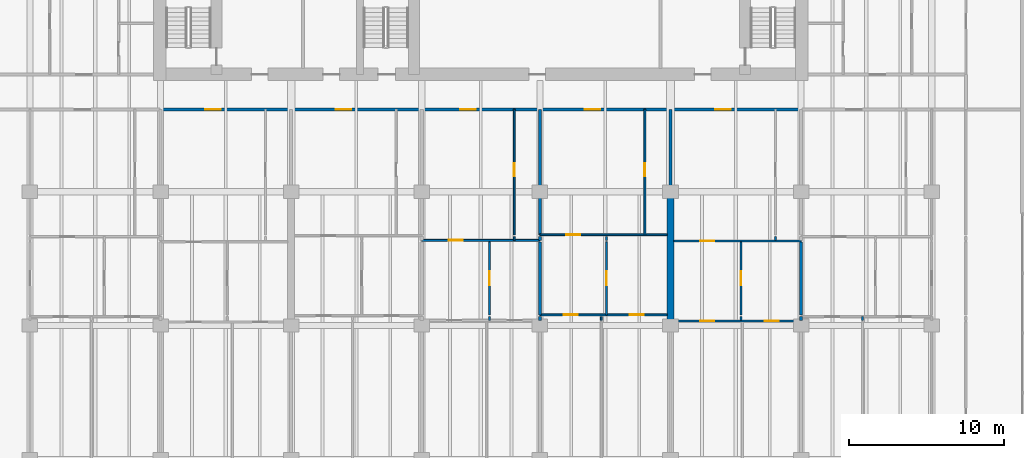
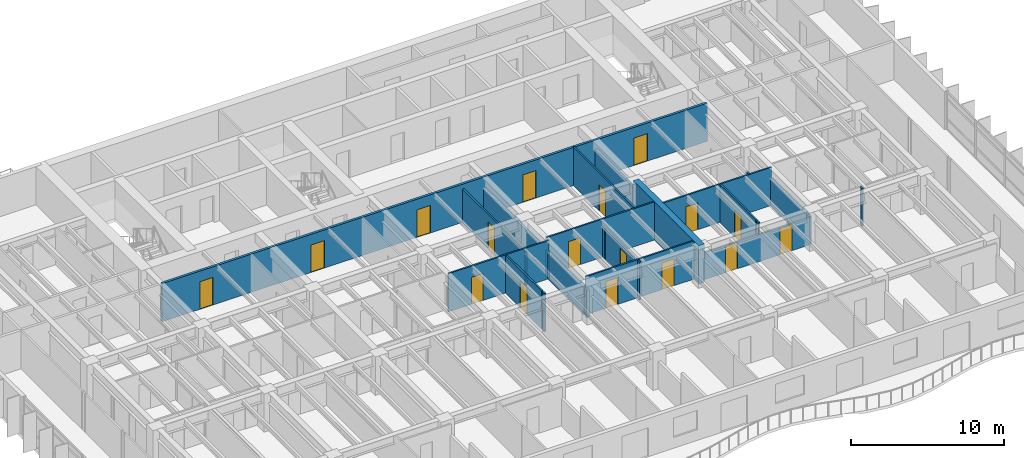
# One storey, part 9 of 18: 26 walls, 17 doors, 17 openings.
"""IFC4 building model written with IfcOpenShell, lengths in metres."""

from ifc_helpers import new_model, si_unit, direction, frame, frame_2d, origin, place, context, subcontext, project, spatial, rectangle, extrude, material, layer, layer_set, type_object, element, fill, save


model = new_model("IFC4")

# Units and contexts
model_context = context("Model", 3, precision=1e-05, world=origin(), true_north=direction((0.0, 1.0)))
body_context = subcontext(model_context, "Body", "Model", "MODEL_VIEW")
ifc_project = project(units=[si_unit("LENGTHUNIT", "METRE"), si_unit("AREAUNIT", "SQUARE_METRE"), si_unit("VOLUMEUNIT", "CUBIC_METRE"), si_unit("PLANEANGLEUNIT", "RADIAN"), si_unit("MASSUNIT", "GRAM", prefix="KILO")], contexts=[model_context])

# Site, building, storey
site_placement = place(None, origin())
site = spatial("IfcSite", under=ifc_project, at=site_placement, CompositionType="ELEMENT")
building_placement = place(site_placement, origin())
building = spatial("IfcBuilding", under=site, at=building_placement, Name="Caelmar Bay Residences", CompositionType="ELEMENT")
storey_placement = place(building_placement, frame((0.0, 0.0, 122.39990234375)))
storey = spatial("IfcBuildingStorey", under=building, at=storey_placement, Name="L33", CompositionType="ELEMENT", Elevation=122.39990234375)

# Wall
ifc_material_1 = material(Name="Concrete f'c 55 MPa (8,000 psi)", Category="concrete")
ifc_layer_1 = layer(ifc_material_1, 0.449951171875)
ifc_layer_set_1 = layer_set([ifc_layer_1], Name="Concrete f'c 55 MPa (8,000 psi)")
wall_type_1 = type_object("IfcWallType", Name="SW-XSLB-450", PredefinedType="SHEAR", material=ifc_layer_set_1)
wall_1_placement = place(storey_placement, frame((51.10009765625, 20.800048828125, 0.0), z_axis=(0.0, 0.0, 1.0), x_axis=(0.0, 1.0, 0.0)))
element("IfcWall", 1, at=wall_1_placement, inside=storey, type_object=wall_type_1, Name="L33 Transverse Cross-Slab Shear Wall E8", PredefinedType="SHEAR", context=body_context, shape_type="SweptSolid", body=[
    extrude(rectangle(XDim=8.599853515625, YDim=0.449951171875, at=frame_2d((4.2998046875, 0.0))), origin(), (0.0, 0.0, 1.0), 3.050048828125),
])

# Wall, openings, doors
ifc_material_2 = material(Name="Double-stud acoustic fire-rated gypsum partition 180 mm")
ifc_layer_2 = layer(ifc_material_2, 0.179931640625)
ifc_layer_set_2 = layer_set([ifc_layer_2], Name="Double-stud acoustic fire-rated gypsum partition 180 mm")
wall_type_2 = type_object("IfcWallType", Name="W-COR-200", PredefinedType="PARTITIONING", material=ifc_layer_set_2)
wall_2_placement = place(storey_placement, frame((18.300048828125, 34.699951171875, 0.0), z_axis=(0.0, 0.0, 1.0), x_axis=(1.0, 0.0, 0.0)))
wall_2 = element("IfcWall", 2, at=wall_2_placement, inside=storey, type_object=wall_type_2, Name="L33 Partition Wall H143", PredefinedType="PARTITIONING", context=body_context, shape_type="SweptSolid", body=[
    extrude(rectangle(XDim=41.199951171875, YDim=0.179931640625, at=frame_2d((20.60009765625, 0.0))), origin(), (0.0, 0.0, 1.0), 3.050048828125),
])
opening_1_placement = place(wall_2_placement, frame((2.875, 0.0, 0.0)))
opening_1 = element("IfcOpeningElement", 3, at=opening_1_placement, cuts=wall_2, Name="Opening D-L33-130", PredefinedType="OPENING", context=body_context, shape_type="SweptSolid", body=[
    extrude(rectangle(XDim=1.0, YDim=2.199951171875, at=frame_2d((0.5, 1.10009765625))), frame((0.0, 0.099853515625, 0.0), z_axis=(0.0, -1.0, 0.0), x_axis=(1.0, 0.0, 0.0)), (0.0, 0.0, 1.0), 0.199951171875),
])
opening_2_placement = place(wall_2_placement, frame((11.27490234375, 0.0, 0.0)))
opening_2 = element("IfcOpeningElement", 4, at=opening_2_placement, cuts=wall_2, Name="Opening D-L33-137", PredefinedType="OPENING", context=body_context, shape_type="SweptSolid", body=[
    extrude(rectangle(XDim=1.0, YDim=2.199951171875, at=frame_2d((0.5, 1.10009765625))), frame((0.0, 0.099853515625, 0.0), z_axis=(0.0, -1.0, 0.0), x_axis=(1.0, 0.0, 0.0)), (0.0, 0.0, 1.0), 0.199951171875),
])
opening_3_placement = place(wall_2_placement, frame((19.27490234375, 0.0, 0.0)))
opening_3 = element("IfcOpeningElement", 5, at=opening_3_placement, cuts=wall_2, Name="Opening D-L33-144", PredefinedType="OPENING", context=body_context, shape_type="SweptSolid", body=[
    extrude(rectangle(XDim=1.0, YDim=2.199951171875, at=frame_2d((0.5, 1.10009765625))), frame((0.0, 0.099853515625, 0.0), z_axis=(0.0, -1.0, 0.0), x_axis=(1.0, 0.0, 0.0)), (0.0, 0.0, 1.0), 0.199951171875),
])
opening_4_placement = place(wall_2_placement, frame((27.27490234375, 0.0, 0.0)))
opening_4 = element("IfcOpeningElement", 6, at=opening_4_placement, cuts=wall_2, Name="Opening D-L33-150", PredefinedType="OPENING", context=body_context, shape_type="SweptSolid", body=[
    extrude(rectangle(XDim=1.0, YDim=2.199951171875, at=frame_2d((0.5, 1.10009765625))), frame((0.0, 0.099853515625, 0.0), z_axis=(0.0, -1.0, 0.0), x_axis=(1.0, 0.0, 0.0)), (0.0, 0.0, 1.0), 0.199951171875),
])
opening_5_placement = place(wall_2_placement, frame((35.675048828125, 0.0, 0.0)))
opening_5 = element("IfcOpeningElement", 7, at=opening_5_placement, cuts=wall_2, Name="Opening D-L33-157", PredefinedType="OPENING", context=body_context, shape_type="SweptSolid", body=[
    extrude(rectangle(XDim=1.0, YDim=2.199951171875, at=frame_2d((0.5, 1.10009765625))), frame((0.0, 0.099853515625, 0.0), z_axis=(0.0, -1.0, 0.0), x_axis=(1.0, 0.0, 0.0)), (0.0, 0.0, 1.0), 0.199951171875),
])
ifc_material_3 = material(Name="Fire-rated steel and walnut architectural door assembly", Category="steel")
ifc_layer_3 = layer(ifc_material_3, 0.050048828125)
ifc_layer_set_3 = layer_set([ifc_layer_3], Name="Fire-rated steel and walnut architectural door assembly")
door_type_1 = type_object("IfcDoorType", Name="D-UNIT-1000", OperationType="NOTDEFINED", PredefinedType="DOOR", material=ifc_layer_set_3)
door_1_placement = place(opening_1_placement, origin())
door_1 = element("IfcDoor", 8, at=door_1_placement, inside=storey, type_object=door_type_1, Name="L33 Residence 02 Apartment Hall Door", OperationType="SINGLE_SWING_RIGHT", OverallHeight=2.199951171875, OverallWidth=1.0, PredefinedType="DOOR", context=body_context, shape_type="SweptSolid", body=[
    extrude(rectangle(XDim=1.0, YDim=2.199951171875, at=frame_2d((0.5, 1.10009765625))), frame((0.0, 0.02490234375, 0.0), z_axis=(0.0, -1.0, 0.0), x_axis=(1.0, 0.0, 0.0)), (0.0, 0.0, 1.0), 0.050048828125),
])
fill(opening_1, door_1)
door_2_placement = place(opening_2_placement, origin())
door_2 = element("IfcDoor", 9, at=door_2_placement, inside=storey, type_object=door_type_1, Name="L33 Residence 03 Apartment Hall Door", OperationType="SINGLE_SWING_LEFT", OverallHeight=2.199951171875, OverallWidth=1.0, PredefinedType="DOOR", context=body_context, shape_type="SweptSolid", body=[
    extrude(rectangle(XDim=1.0, YDim=2.199951171875, at=frame_2d((0.5, 1.10009765625))), frame((0.0, 0.02490234375, 0.0), z_axis=(0.0, -1.0, 0.0), x_axis=(1.0, 0.0, 0.0)), (0.0, 0.0, 1.0), 0.050048828125),
])
fill(opening_2, door_2)
door_3_placement = place(opening_3_placement, origin())
door_3 = element("IfcDoor", 10, at=door_3_placement, inside=storey, type_object=door_type_1, Name="L33 Residence 04 Apartment Hall Door", OperationType="SINGLE_SWING_RIGHT", OverallHeight=2.199951171875, OverallWidth=1.0, PredefinedType="DOOR", context=body_context, shape_type="SweptSolid", body=[
    extrude(rectangle(XDim=1.0, YDim=2.199951171875, at=frame_2d((0.5, 1.10009765625))), frame((0.0, 0.02490234375, 0.0), z_axis=(0.0, -1.0, 0.0), x_axis=(1.0, 0.0, 0.0)), (0.0, 0.0, 1.0), 0.050048828125),
])
fill(opening_3, door_3)
door_4_placement = place(opening_4_placement, origin())
door_4 = element("IfcDoor", 11, at=door_4_placement, inside=storey, type_object=door_type_1, Name="L33 Residence 05 Apartment Hall Door", OperationType="SINGLE_SWING_RIGHT", OverallHeight=2.199951171875, OverallWidth=1.0, PredefinedType="DOOR", context=body_context, shape_type="SweptSolid", body=[
    extrude(rectangle(XDim=1.0, YDim=2.199951171875, at=frame_2d((0.5, 1.10009765625))), frame((0.0, 0.02490234375, 0.0), z_axis=(0.0, -1.0, 0.0), x_axis=(1.0, 0.0, 0.0)), (0.0, 0.0, 1.0), 0.050048828125),
])
fill(opening_4, door_4)
door_5_placement = place(opening_5_placement, origin())
door_5 = element("IfcDoor", 12, at=door_5_placement, inside=storey, type_object=door_type_1, Name="L33 Residence 06 Apartment Hall Door", OperationType="SINGLE_SWING_LEFT", OverallHeight=2.199951171875, OverallWidth=1.0, PredefinedType="DOOR", context=body_context, shape_type="SweptSolid", body=[
    extrude(rectangle(XDim=1.0, YDim=2.199951171875, at=frame_2d((0.5, 1.10009765625))), frame((0.0, 0.02490234375, 0.0), z_axis=(0.0, -1.0, 0.0), x_axis=(1.0, 0.0, 0.0)), (0.0, 0.0, 1.0), 0.050048828125),
])
fill(opening_5, door_5)

# Wall
ifc_material_4 = material(Name="Acoustic metal-stud gypsum partition 120 mm")
ifc_layer_4 = layer(ifc_material_4, 0.1201171875)
ifc_layer_set_4 = layer_set([ifc_layer_4], Name="Acoustic metal-stud gypsum partition 120 mm")
wall_type_3 = type_object("IfcWallType", Name="W-PRT-120", PredefinedType="PARTITIONING", material=ifc_layer_set_4)
wall_3_placement = place(storey_placement, frame((39.4541015625, 21.1298828125, 0.0), z_axis=(0.0, 0.0, 1.0), x_axis=(0.0, 1.0, 0.0)))
element("IfcWall", 13, at=wall_3_placement, inside=storey, type_object=wall_type_3, Name="L33 Partition Wall V058", PredefinedType="PARTITIONING", context=body_context, shape_type="SweptSolid", body=[
    extrude(rectangle(XDim=0.240234375, YDim=0.1201171875, at=frame_2d((0.1201171875, 0.0))), origin(), (0.0, 0.0, 1.0), 3.050048828125),
])

# Wall, opening, door
wall_4_placement = place(storey_placement, frame((39.4541015625, 21.489990234375, 0.0), z_axis=(0.0, 0.0, 1.0), x_axis=(0.0, 1.0, 0.0)))
wall_4 = element("IfcWall", 14, at=wall_4_placement, inside=storey, type_object=wall_type_3, Name="L33 Partition Wall V059", PredefinedType="PARTITIONING", context=body_context, shape_type="SweptSolid", body=[
    extrude(rectangle(XDim=4.68994140625, YDim=0.1201171875, at=frame_2d((2.344970703125, 0.0))), origin(), (0.0, 0.0, 1.0), 3.050048828125),
])
opening_6_placement = place(wall_4_placement, frame((1.89501953125, 0.0, 0.0)))
opening_6 = element("IfcOpeningElement", 15, at=opening_6_placement, cuts=wall_4, Name="Opening D-L33-147", PredefinedType="OPENING", context=body_context, shape_type="SweptSolid", body=[
    extrude(rectangle(XDim=0.89990234375, YDim=2.14990234375, at=frame_2d((0.449951171875, 1.074951171875))), frame((0.0, 0.070068359375, 0.0), z_axis=(0.0, -1.0, 0.0), x_axis=(1.0, 0.0, 0.0)), (0.0, 0.0, 1.0), 0.14013671875),
])
ifc_material_5 = material(Name="Solid walnut timber interior door leaf and frame", Category="wood")
ifc_layer_5 = layer(ifc_material_5, 0.050048828125)
ifc_layer_set_5 = layer_set([ifc_layer_5], Name="Solid walnut timber interior door leaf and frame")
door_type_2 = type_object("IfcDoorType", Name="D-ROOM-900", OperationType="NOTDEFINED", PredefinedType="DOOR", material=ifc_layer_set_5)
door_6_placement = place(opening_6_placement, origin())
door_6 = element("IfcDoor", 16, at=door_6_placement, inside=storey, type_object=door_type_2, Name="L33 Residence 04 Study Door", OperationType="SINGLE_SWING_LEFT", OverallHeight=2.14990234375, OverallWidth=0.89990234375, PredefinedType="DOOR", context=body_context, shape_type="SweptSolid", body=[
    extrude(rectangle(XDim=0.89990234375, YDim=2.14990234375, at=frame_2d((0.449951171875, 1.074951171875))), frame((0.0, 0.02490234375, 0.0), z_axis=(0.0, -1.0, 0.0), x_axis=(1.0, 0.0, 0.0)), (0.0, 0.0, 1.0), 0.050048828125),
])
fill(opening_6, door_6)

# Wall
wall_5_placement = place(storey_placement, frame((41.050048828125, 26.280029296875, 0.0), z_axis=(0.0, 0.0, 1.0), x_axis=(0.0, 1.0, 0.0)))
element("IfcWall", 17, at=wall_5_placement, inside=storey, type_object=wall_type_3, Name="L33 Partition Wall V060", PredefinedType="PARTITIONING", context=body_context, shape_type="SweptSolid", body=[
    extrude(rectangle(XDim=0.239990234375, YDim=0.1201171875, at=frame_2d((0.1201171875, 0.0))), origin(), (0.0, 0.0, 1.0), 2.67919921875),
])

# Wall, opening, door
wall_6_placement = place(storey_placement, frame((41.050048828125, 26.639892578125, 0.0), z_axis=(0.0, 0.0, 1.0), x_axis=(0.0, 1.0, 0.0)))
wall_6 = element("IfcWall", 18, at=wall_6_placement, inside=storey, type_object=wall_type_3, Name="L33 Partition Wall V061", PredefinedType="PARTITIONING", context=body_context, shape_type="SweptSolid", body=[
    extrude(rectangle(XDim=8.06005859375, YDim=0.1201171875, at=frame_2d((4.030029296875, 0.0))), origin(), (0.0, 0.0, 1.0), 2.67919921875),
])
opening_7_placement = place(wall_6_placement, frame((3.7548828125, 0.0, 0.0)))
opening_7 = element("IfcOpeningElement", 19, at=opening_7_placement, cuts=wall_6, Name="Opening D-L33-145", PredefinedType="OPENING", context=body_context, shape_type="SweptSolid", body=[
    extrude(rectangle(XDim=0.85009765625, YDim=2.10009765625, at=frame_2d((0.425048828125, 1.050048828125))), frame((0.0, 0.070068359375, 0.0), z_axis=(0.0, -1.0, 0.0), x_axis=(1.0, 0.0, 0.0)), (0.0, 0.0, 1.0), 0.14013671875),
])
ifc_layer_6 = layer(ifc_material_5, 0.050048828125)
ifc_layer_set_6 = layer_set([ifc_layer_6], Name="Solid walnut timber interior door leaf and frame")
door_type_3 = type_object("IfcDoorType", Name="D-BATH-850", OperationType="NOTDEFINED", PredefinedType="DOOR", material=ifc_layer_set_6)
door_7_placement = place(opening_7_placement, origin())
door_7 = element("IfcDoor", 20, at=door_7_placement, inside=storey, type_object=door_type_3, Name="L33 Residence 04 Bathroom Door", OperationType="SINGLE_SWING_LEFT", OverallHeight=2.10009765625, OverallWidth=0.85009765625, PredefinedType="DOOR", context=body_context, shape_type="SweptSolid", body=[
    extrude(rectangle(XDim=0.85009765625, YDim=2.10009765625, at=frame_2d((0.425048828125, 1.050048828125))), frame((0.0, 0.02490234375, 0.0), z_axis=(0.0, -1.0, 0.0), x_axis=(1.0, 0.0, 0.0)), (0.0, 0.0, 1.0), 0.050048828125),
])
fill(opening_7, door_7)

# Wall
wall_7_placement = place(storey_placement, frame((46.64794921875, 21.1298828125, 0.0), z_axis=(0.0, 0.0, 1.0), x_axis=(0.0, 1.0, 0.0)))
element("IfcWall", 21, at=wall_7_placement, inside=storey, type_object=wall_type_3, Name="L33 Partition Wall V074", PredefinedType="PARTITIONING", context=body_context, shape_type="SweptSolid", body=[
    extrude(rectangle(XDim=0.240234375, YDim=0.1201171875, at=frame_2d((0.1201171875, 0.0))), origin(), (0.0, 0.0, 1.0), 3.050048828125),
])

# Wall, opening, door
wall_8_placement = place(storey_placement, frame((46.986083984375, 21.489990234375, 0.0), z_axis=(0.0, 0.0, 1.0), x_axis=(0.0, 1.0, 0.0)))
wall_8 = element("IfcWall", 22, at=wall_8_placement, inside=storey, type_object=wall_type_3, Name="L33 Partition Wall V075", PredefinedType="PARTITIONING", context=body_context, shape_type="SweptSolid", body=[
    extrude(rectangle(XDim=4.68994140625, YDim=0.1201171875, at=frame_2d((2.344970703125, 0.0))), origin(), (0.0, 0.0, 1.0), 2.486083984375),
])
opening_8_placement = place(wall_8_placement, frame((1.89501953125, 0.0, 0.0)))
opening_8 = element("IfcOpeningElement", 23, at=opening_8_placement, cuts=wall_8, Name="Opening D-L33-153", PredefinedType="OPENING", context=body_context, shape_type="SweptSolid", body=[
    extrude(rectangle(XDim=0.89990234375, YDim=2.14990234375, at=frame_2d((0.449951171875, 1.074951171875))), frame((0.0, 0.070068359375, 0.0), z_axis=(0.0, -1.0, 0.0), x_axis=(1.0, 0.0, 0.0)), (0.0, 0.0, 1.0), 0.14013671875),
])
door_8_placement = place(opening_8_placement, origin())
door_8 = element("IfcDoor", 24, at=door_8_placement, inside=storey, type_object=door_type_2, Name="L33 Residence 05 Study Door", OperationType="SINGLE_SWING_LEFT", OverallHeight=2.14990234375, OverallWidth=0.89990234375, PredefinedType="DOOR", context=body_context, shape_type="SweptSolid", body=[
    extrude(rectangle(XDim=0.89990234375, YDim=2.14990234375, at=frame_2d((0.449951171875, 1.074951171875))), frame((0.0, 0.02490234375, 0.0), z_axis=(0.0, -1.0, 0.0), x_axis=(1.0, 0.0, 0.0)), (0.0, 0.0, 1.0), 0.050048828125),
])
fill(opening_8, door_8)

# Wall
wall_9_placement = place(storey_placement, frame((46.986083984375, 26.280029296875, 0.0), z_axis=(0.0, 0.0, 1.0), x_axis=(0.0, 1.0, 0.0)))
element("IfcWall", 25, at=wall_9_placement, inside=storey, type_object=wall_type_3, Name="L33 Partition Wall V076", PredefinedType="PARTITIONING", context=body_context, shape_type="SweptSolid", body=[
    extrude(rectangle(XDim=0.239990234375, YDim=0.1201171875, at=frame_2d((0.1201171875, 0.0))), origin(), (0.0, 0.0, 1.0), 2.486083984375),
])

# Wall, opening, door
wall_10_placement = place(storey_placement, frame((49.449951171875, 26.639892578125, 0.0), z_axis=(0.0, 0.0, 1.0), x_axis=(0.0, 1.0, 0.0)))
wall_10 = element("IfcWall", 26, at=wall_10_placement, inside=storey, type_object=wall_type_3, Name="L33 Partition Wall V078", PredefinedType="PARTITIONING", context=body_context, shape_type="SweptSolid", body=[
    extrude(rectangle(XDim=8.06005859375, YDim=0.1201171875, at=frame_2d((4.030029296875, 0.0))), origin(), (0.0, 0.0, 1.0), 3.050048828125),
])
opening_9_placement = place(wall_10_placement, frame((3.7548828125, 0.0, 0.0)))
opening_9 = element("IfcOpeningElement", 27, at=opening_9_placement, cuts=wall_10, Name="Opening D-L33-151", PredefinedType="OPENING", context=body_context, shape_type="SweptSolid", body=[
    extrude(rectangle(XDim=0.85009765625, YDim=2.10009765625, at=frame_2d((0.425048828125, 1.050048828125))), frame((0.0, 0.070068359375, 0.0), z_axis=(0.0, -1.0, 0.0), x_axis=(1.0, 0.0, 0.0)), (0.0, 0.0, 1.0), 0.14013671875),
])
door_9_placement = place(opening_9_placement, origin())
door_9 = element("IfcDoor", 28, at=door_9_placement, inside=storey, type_object=door_type_3, Name="L33 Residence 05 Bathroom Door", OperationType="SINGLE_SWING_LEFT", OverallHeight=2.10009765625, OverallWidth=0.85009765625, PredefinedType="DOOR", context=body_context, shape_type="SweptSolid", body=[
    extrude(rectangle(XDim=0.85009765625, YDim=2.10009765625, at=frame_2d((0.425048828125, 1.050048828125))), frame((0.0, 0.02490234375, 0.0), z_axis=(0.0, -1.0, 0.0), x_axis=(1.0, 0.0, 0.0)), (0.0, 0.0, 1.0), 0.050048828125),
])
fill(opening_9, door_9)

# Wall
wall_11_placement = place(storey_placement, frame((55.635986328125, 21.1298828125, 0.0), z_axis=(0.0, 0.0, 1.0), x_axis=(0.0, 1.0, 0.0)))
element("IfcWall", 29, at=wall_11_placement, inside=storey, type_object=wall_type_3, Name="L33 Partition Wall V086", PredefinedType="PARTITIONING", context=body_context, shape_type="SweptSolid", body=[
    extrude(rectangle(XDim=0.240234375, YDim=0.1201171875, at=frame_2d((0.1201171875, 0.0))), origin(), (0.0, 0.0, 1.0), 3.050048828125),
])

# Wall, opening, door
wall_12_placement = place(storey_placement, frame((55.635986328125, 21.489990234375, 0.0), z_axis=(0.0, 0.0, 1.0), x_axis=(0.0, 1.0, 0.0)))
wall_12 = element("IfcWall", 30, at=wall_12_placement, inside=storey, type_object=wall_type_3, Name="L33 Partition Wall V087", PredefinedType="PARTITIONING", context=body_context, shape_type="SweptSolid", body=[
    extrude(rectangle(XDim=4.68994140625, YDim=0.1201171875, at=frame_2d((2.344970703125, 0.0))), origin(), (0.0, 0.0, 1.0), 3.050048828125),
])
opening_10_placement = place(wall_12_placement, frame((1.89501953125, 0.0, 0.0)))
opening_10 = element("IfcOpeningElement", 31, at=opening_10_placement, cuts=wall_12, Name="Opening D-L33-160", PredefinedType="OPENING", context=body_context, shape_type="SweptSolid", body=[
    extrude(rectangle(XDim=0.89990234375, YDim=2.14990234375, at=frame_2d((0.449951171875, 1.074951171875))), frame((0.0, 0.070068359375, 0.0), z_axis=(0.0, -1.0, 0.0), x_axis=(1.0, 0.0, 0.0)), (0.0, 0.0, 1.0), 0.14013671875),
])
door_10_placement = place(opening_10_placement, origin())
door_10 = element("IfcDoor", 32, at=door_10_placement, inside=storey, type_object=door_type_2, Name="L33 Residence 06 Study Door", OperationType="SINGLE_SWING_RIGHT", OverallHeight=2.14990234375, OverallWidth=0.89990234375, PredefinedType="DOOR", context=body_context, shape_type="SweptSolid", body=[
    extrude(rectangle(XDim=0.89990234375, YDim=2.14990234375, at=frame_2d((0.449951171875, 1.074951171875))), frame((0.0, 0.02490234375, 0.0), z_axis=(0.0, -1.0, 0.0), x_axis=(1.0, 0.0, 0.0)), (0.0, 0.0, 1.0), 0.050048828125),
])
fill(opening_10, door_10)

# Walls
wall_13_placement = place(storey_placement, frame((57.85009765625, 26.280029296875, 0.0), z_axis=(0.0, 0.0, 1.0), x_axis=(0.0, 1.0, 0.0)))
element("IfcWall", 33, at=wall_13_placement, inside=storey, type_object=wall_type_3, Name="L33 Partition Wall V091", PredefinedType="PARTITIONING", context=body_context, shape_type="SweptSolid", body=[
    extrude(rectangle(XDim=0.239990234375, YDim=0.1201171875, at=frame_2d((0.1201171875, 0.0))), origin(), (0.0, 0.0, 1.0), 3.050048828125),
])
wall_14_placement = place(storey_placement, frame((63.447998046875, 21.1298828125, 0.0), z_axis=(0.0, 0.0, 1.0), x_axis=(0.0, 1.0, 0.0)))
element("IfcWall", 34, at=wall_14_placement, inside=storey, type_object=wall_type_3, Name="L33 Partition Wall V102", PredefinedType="PARTITIONING", context=body_context, shape_type="SweptSolid", body=[
    extrude(rectangle(XDim=0.240234375, YDim=0.1201171875, at=frame_2d((0.1201171875, 0.0))), origin(), (0.0, 0.0, 1.0), 3.050048828125),
])

# Wall, openings, doors
wall_15_placement = place(storey_placement, frame((51.320068359375, 21.090087890625, 0.0), z_axis=(0.0, 0.0, 1.0), x_axis=(1.0, 0.0, 0.0)))
wall_15 = element("IfcWall", 35, at=wall_15_placement, inside=storey, type_object=wall_type_3, Name="L33 Partition Wall H128", PredefinedType="PARTITIONING", context=body_context, shape_type="SweptSolid", body=[
    extrude(rectangle(XDim=8.179931640625, YDim=0.1201171875, at=frame_2d((4.08984375, 0.0))), origin(), (0.0, 0.0, 1.0), 2.174072265625),
])
opening_11_placement = place(wall_15_placement, frame((1.7080078125, 0.0, 0.0)))
opening_11 = element("IfcOpeningElement", 36, at=opening_11_placement, cuts=wall_15, Name="Opening D-L33-161", PredefinedType="OPENING", context=body_context, shape_type="SweptSolid", body=[
    extrude(rectangle(XDim=0.89990234375, YDim=2.1240234375, at=frame_2d((0.449951171875, 1.06201171875))), frame((0.0, 0.070068359375, 0.0), z_axis=(0.0, -1.0, 0.0), x_axis=(1.0, 0.0, 0.0)), (0.0, 0.0, 1.0), 0.14013671875),
])
opening_12_placement = place(wall_15_placement, frame((5.840087890625, 0.0, 0.0)))
opening_12 = element("IfcOpeningElement", 37, at=opening_12_placement, cuts=wall_15, Name="Opening D-L33-162", PredefinedType="OPENING", context=body_context, shape_type="SweptSolid", body=[
    extrude(rectangle(XDim=0.89990234375, YDim=2.1240234375, at=frame_2d((0.449951171875, 1.06201171875))), frame((0.0, 0.070068359375, 0.0), z_axis=(0.0, -1.0, 0.0), x_axis=(1.0, 0.0, 0.0)), (0.0, 0.0, 1.0), 0.14013671875),
])
door_11_placement = place(opening_11_placement, origin())
door_11 = element("IfcDoor", 38, at=door_11_placement, inside=storey, type_object=door_type_2, Name="L33 Residence 06 Living Room Door", OperationType="SINGLE_SWING_LEFT", OverallHeight=2.1240234375, OverallWidth=0.89990234375, PredefinedType="DOOR", context=body_context, shape_type="SweptSolid", body=[
    extrude(rectangle(XDim=0.89990234375, YDim=2.1240234375, at=frame_2d((0.449951171875, 1.06201171875))), frame((0.0, 0.02490234375, 0.0), z_axis=(0.0, -1.0, 0.0), x_axis=(1.0, 0.0, 0.0)), (0.0, 0.0, 1.0), 0.050048828125),
])
fill(opening_11, door_11)
door_12_placement = place(opening_12_placement, origin())
door_12 = element("IfcDoor", 39, at=door_12_placement, inside=storey, type_object=door_type_2, Name="L33 Residence 06 Bedroom 2 Door", OperationType="SINGLE_SWING_RIGHT", OverallHeight=2.1240234375, OverallWidth=0.89990234375, PredefinedType="DOOR", context=body_context, shape_type="SweptSolid", body=[
    extrude(rectangle(XDim=0.89990234375, YDim=2.1240234375, at=frame_2d((0.449951171875, 1.06201171875))), frame((0.0, 0.02490234375, 0.0), z_axis=(0.0, -1.0, 0.0), x_axis=(1.0, 0.0, 0.0)), (0.0, 0.0, 1.0), 0.050048828125),
])
fill(opening_12, door_12)

wall_16_placement = place(storey_placement, frame((42.699951171875, 21.489990234375, 0.0), z_axis=(0.0, 0.0, 1.0), x_axis=(1.0, 0.0, 0.0)))
wall_16 = element("IfcWall", 40, at=wall_16_placement, inside=storey, type_object=wall_type_3, Name="L33 Partition Wall H133", PredefinedType="PARTITIONING", context=body_context, shape_type="SweptSolid", body=[
    extrude(rectangle(XDim=8.179931640625, YDim=0.1201171875, at=frame_2d((4.08984375, 0.0))), origin(), (0.0, 0.0, 1.0), 3.050048828125),
])
opening_13_placement = place(wall_16_placement, frame((1.52392578125, 0.0, 0.0)))
opening_13 = element("IfcOpeningElement", 41, at=opening_13_placement, cuts=wall_16, Name="Opening D-L33-154", PredefinedType="OPENING", context=body_context, shape_type="SweptSolid", body=[
    extrude(rectangle(XDim=0.89990234375, YDim=2.14990234375, at=frame_2d((0.449951171875, 1.074951171875))), frame((0.0, 0.070068359375, 0.0), z_axis=(0.0, -1.0, 0.0), x_axis=(1.0, 0.0, 0.0)), (0.0, 0.0, 1.0), 0.14013671875),
])
opening_14_placement = place(wall_16_placement, frame((5.782958984375, 0.0, 0.0)))
opening_14 = element("IfcOpeningElement", 42, at=opening_14_placement, cuts=wall_16, Name="Opening D-L33-155", PredefinedType="OPENING", context=body_context, shape_type="SweptSolid", body=[
    extrude(rectangle(XDim=0.89990234375, YDim=2.14990234375, at=frame_2d((0.449951171875, 1.074951171875))), frame((0.0, 0.070068359375, 0.0), z_axis=(0.0, -1.0, 0.0), x_axis=(1.0, 0.0, 0.0)), (0.0, 0.0, 1.0), 0.14013671875),
])
door_13_placement = place(opening_13_placement, origin())
door_13 = element("IfcDoor", 43, at=door_13_placement, inside=storey, type_object=door_type_2, Name="L33 Residence 05 Living Room Door", OperationType="SINGLE_SWING_RIGHT", OverallHeight=2.14990234375, OverallWidth=0.89990234375, PredefinedType="DOOR", context=body_context, shape_type="SweptSolid", body=[
    extrude(rectangle(XDim=0.89990234375, YDim=2.14990234375, at=frame_2d((0.449951171875, 1.074951171875))), frame((0.0, 0.02490234375, 0.0), z_axis=(0.0, -1.0, 0.0), x_axis=(1.0, 0.0, 0.0)), (0.0, 0.0, 1.0), 0.050048828125),
])
fill(opening_13, door_13)
door_14_placement = place(opening_14_placement, origin())
door_14 = element("IfcDoor", 44, at=door_14_placement, inside=storey, type_object=door_type_2, Name="L33 Residence 05 Penthouse Sitting Room Door", OperationType="SINGLE_SWING_LEFT", OverallHeight=2.14990234375, OverallWidth=0.89990234375, PredefinedType="DOOR", context=body_context, shape_type="SweptSolid", body=[
    extrude(rectangle(XDim=0.89990234375, YDim=2.14990234375, at=frame_2d((0.449951171875, 1.074951171875))), frame((0.0, 0.02490234375, 0.0), z_axis=(0.0, -1.0, 0.0), x_axis=(1.0, 0.0, 0.0)), (0.0, 0.0, 1.0), 0.050048828125),
])
fill(opening_14, door_14)

# Wall, opening, door
wall_17_placement = place(storey_placement, frame((51.320068359375, 26.239990234375, 0.0), z_axis=(0.0, 0.0, 1.0), x_axis=(1.0, 0.0, 0.0)))
wall_17 = element("IfcWall", 45, at=wall_17_placement, inside=storey, type_object=wall_type_3, Name="L33 Partition Wall H135", PredefinedType="PARTITIONING", context=body_context, shape_type="SweptSolid", body=[
    extrude(rectangle(XDim=8.179931640625, YDim=0.1201171875, at=frame_2d((4.08984375, 0.0))), origin(), (0.0, 0.0, 1.0), 3.050048828125),
])
opening_15_placement = place(wall_17_placement, frame((1.7080078125, 0.0, 0.0)))
opening_15 = element("IfcOpeningElement", 46, at=opening_15_placement, cuts=wall_17, Name="Opening D-L33-159", PredefinedType="OPENING", context=body_context, shape_type="SweptSolid", body=[
    extrude(rectangle(XDim=0.89990234375, YDim=2.14990234375, at=frame_2d((0.449951171875, 1.074951171875))), frame((0.0, 0.070068359375, 0.0), z_axis=(0.0, -1.0, 0.0), x_axis=(1.0, 0.0, 0.0)), (0.0, 0.0, 1.0), 0.14013671875),
])
door_15_placement = place(opening_15_placement, origin())
door_15 = element("IfcDoor", 47, at=door_15_placement, inside=storey, type_object=door_type_2, Name="L33 Residence 06 Kitchen Door", OperationType="SINGLE_SWING_LEFT", OverallHeight=2.14990234375, OverallWidth=0.89990234375, PredefinedType="DOOR", context=body_context, shape_type="SweptSolid", body=[
    extrude(rectangle(XDim=0.89990234375, YDim=2.14990234375, at=frame_2d((0.449951171875, 1.074951171875))), frame((0.0, 0.02490234375, 0.0), z_axis=(0.0, -1.0, 0.0), x_axis=(1.0, 0.0, 0.0)), (0.0, 0.0, 1.0), 0.050048828125),
])
fill(opening_15, door_15)

wall_18_placement = place(storey_placement, frame((35.10009765625, 26.280029296875, 0.0), z_axis=(0.0, 0.0, 1.0), x_axis=(1.0, 0.0, 0.0)))
wall_18 = element("IfcWall", 48, at=wall_18_placement, inside=storey, type_object=wall_type_3, Name="L33 Partition Wall H136", PredefinedType="PARTITIONING", context=body_context, shape_type="SweptSolid", body=[
    extrude(rectangle(XDim=7.599853515625, YDim=0.1201171875, at=frame_2d((3.7998046875, 0.0))), origin(), (0.0, 0.0, 1.0), 3.050048828125),
])
opening_16_placement = place(wall_18_placement, frame((1.72705078125, 0.0, 0.0)))
opening_16 = element("IfcOpeningElement", 49, at=opening_16_placement, cuts=wall_18, Name="Opening D-L33-146", PredefinedType="OPENING", context=body_context, shape_type="SweptSolid", body=[
    extrude(rectangle(XDim=0.89990234375, YDim=2.14990234375, at=frame_2d((0.449951171875, 1.074951171875))), frame((0.0, 0.070068359375, 0.0), z_axis=(0.0, -1.0, 0.0), x_axis=(1.0, 0.0, 0.0)), (0.0, 0.0, 1.0), 0.14013671875),
])
door_16_placement = place(opening_16_placement, origin())
door_16 = element("IfcDoor", 50, at=door_16_placement, inside=storey, type_object=door_type_2, Name="L33 Residence 04 Kitchen Door", OperationType="SINGLE_SWING_RIGHT", OverallHeight=2.14990234375, OverallWidth=0.89990234375, PredefinedType="DOOR", context=body_context, shape_type="SweptSolid", body=[
    extrude(rectangle(XDim=0.89990234375, YDim=2.14990234375, at=frame_2d((0.449951171875, 1.074951171875))), frame((0.0, 0.02490234375, 0.0), z_axis=(0.0, -1.0, 0.0), x_axis=(1.0, 0.0, 0.0)), (0.0, 0.0, 1.0), 0.050048828125),
])
fill(opening_16, door_16)

wall_19_placement = place(storey_placement, frame((42.699951171875, 26.639892578125, 0.0), z_axis=(0.0, 0.0, 1.0), x_axis=(1.0, 0.0, 0.0)))
wall_19 = element("IfcWall", 51, at=wall_19_placement, inside=storey, type_object=wall_type_3, Name="L33 Partition Wall H140", PredefinedType="PARTITIONING", context=body_context, shape_type="SweptSolid", body=[
    extrude(rectangle(XDim=8.179931640625, YDim=0.1201171875, at=frame_2d((4.08984375, 0.0))), origin(), (0.0, 0.0, 1.0), 3.050048828125),
])
opening_17_placement = place(wall_19_placement, frame((1.693115234375, 0.0, 0.0)))
opening_17 = element("IfcOpeningElement", 52, at=opening_17_placement, cuts=wall_19, Name="Opening D-L33-152", PredefinedType="OPENING", context=body_context, shape_type="SweptSolid", body=[
    extrude(rectangle(XDim=0.89990234375, YDim=2.14990234375, at=frame_2d((0.449951171875, 1.074951171875))), frame((0.0, 0.070068359375, 0.0), z_axis=(0.0, -1.0, 0.0), x_axis=(1.0, 0.0, 0.0)), (0.0, 0.0, 1.0), 0.14013671875),
])
door_17_placement = place(opening_17_placement, origin())
door_17 = element("IfcDoor", 53, at=door_17_placement, inside=storey, type_object=door_type_2, Name="L33 Residence 05 Kitchen Door", OperationType="SINGLE_SWING_RIGHT", OverallHeight=2.14990234375, OverallWidth=0.89990234375, PredefinedType="DOOR", context=body_context, shape_type="SweptSolid", body=[
    extrude(rectangle(XDim=0.89990234375, YDim=2.14990234375, at=frame_2d((0.449951171875, 1.074951171875))), frame((0.0, 0.02490234375, 0.0), z_axis=(0.0, -1.0, 0.0), x_axis=(1.0, 0.0, 0.0)), (0.0, 0.0, 1.0), 0.050048828125),
])
fill(opening_17, door_17)

# Walls
ifc_material_6 = material(Name="Acoustic twin-stud fire-rated inter-tenancy partition 200 mm")
ifc_layer_7 = layer(ifc_material_6, 0.199951171875)
ifc_layer_set_7 = layer_set([ifc_layer_7], Name="Acoustic twin-stud fire-rated inter-tenancy partition 200 mm")
wall_type_4 = type_object("IfcWallType", Name="W-PTY-200", PredefinedType="PARTITIONING", material=ifc_layer_set_7)
wall_20_placement = place(storey_placement, frame((42.699951171875, 21.1298828125, 0.0), z_axis=(0.0, 0.0, 1.0), x_axis=(0.0, 1.0, 0.0)))
element("IfcWall", 54, at=wall_20_placement, inside=storey, type_object=wall_type_4, Name="L33 Partition Wall V065", PredefinedType="PARTITIONING", context=body_context, shape_type="SweptSolid", body=[
    extrude(rectangle(XDim=0.240234375, YDim=0.199951171875, at=frame_2d((0.1201171875, 0.0))), origin(), (0.0, 0.0, 1.0), 2.174072265625),
])
wall_21_placement = place(storey_placement, frame((42.699951171875, 21.489990234375, 0.0), z_axis=(0.0, 0.0, 1.0), x_axis=(0.0, 1.0, 0.0)))
element("IfcWall", 55, at=wall_21_placement, inside=storey, type_object=wall_type_4, Name="L33 Partition Wall V066", PredefinedType="PARTITIONING", context=body_context, shape_type="SweptSolid", body=[
    extrude(rectangle(XDim=4.68994140625, YDim=0.199951171875, at=frame_2d((2.344970703125, 0.0))), origin(), (0.0, 0.0, 1.0), 2.174072265625),
])
wall_22_placement = place(storey_placement, frame((42.699951171875, 26.280029296875, 0.0), z_axis=(0.0, 0.0, 1.0), x_axis=(0.0, 1.0, 0.0)))
element("IfcWall", 56, at=wall_22_placement, inside=storey, type_object=wall_type_4, Name="L33 Partition Wall V067", PredefinedType="PARTITIONING", context=body_context, shape_type="SweptSolid", body=[
    extrude(rectangle(XDim=0.239990234375, YDim=0.199951171875, at=frame_2d((0.1201171875, 0.0))), origin(), (0.0, 0.0, 1.0), 2.174072265625),
])
wall_23_placement = place(storey_placement, frame((42.699951171875, 26.639892578125, 0.0), z_axis=(0.0, 0.0, 1.0), x_axis=(0.0, 1.0, 0.0)))
element("IfcWall", 57, at=wall_23_placement, inside=storey, type_object=wall_type_4, Name="L33 Partition Wall V068", PredefinedType="PARTITIONING", context=body_context, shape_type="SweptSolid", body=[
    extrude(rectangle(XDim=8.06005859375, YDim=0.199951171875, at=frame_2d((4.030029296875, 0.0))), origin(), (0.0, 0.0, 1.0), 2.174072265625),
])
wall_24_placement = place(storey_placement, frame((51.10009765625, 29.405029296875, 0.0), z_axis=(0.0, 0.0, 1.0), x_axis=(0.0, 1.0, 0.0)))
element("IfcWall", 58, at=wall_24_placement, inside=storey, type_object=wall_type_4, Name="L33 Partition Wall V084", PredefinedType="PARTITIONING", context=body_context, shape_type="SweptSolid", body=[
    extrude(rectangle(XDim=5.294921875, YDim=0.199951171875, at=frame_2d((2.6474609375, 0.0))), origin(), (0.0, 0.0, 1.0), 2.335205078125),
])
wall_25_placement = place(storey_placement, frame((59.5, 21.1298828125, 0.0), z_axis=(0.0, 0.0, 1.0), x_axis=(0.0, 1.0, 0.0)))
element("IfcWall", 59, at=wall_25_placement, inside=storey, type_object=wall_type_4, Name="L33 Partition Wall V095", PredefinedType="PARTITIONING", context=body_context, shape_type="SweptSolid", body=[
    extrude(rectangle(XDim=0.240234375, YDim=0.199951171875, at=frame_2d((0.1201171875, 0.0))), origin(), (0.0, 0.0, 1.0), 2.174072265625),
])
wall_26_placement = place(storey_placement, frame((59.5, 21.489990234375, 0.0), z_axis=(0.0, 0.0, 1.0), x_axis=(0.0, 1.0, 0.0)))
element("IfcWall", 60, at=wall_26_placement, inside=storey, type_object=wall_type_4, Name="L33 Partition Wall V096", PredefinedType="PARTITIONING", context=body_context, shape_type="SweptSolid", body=[
    extrude(rectangle(XDim=4.68994140625, YDim=0.199951171875, at=frame_2d((2.344970703125, 0.0))), origin(), (0.0, 0.0, 1.0), 2.174072265625),
])

save(model, "model.ifc")
